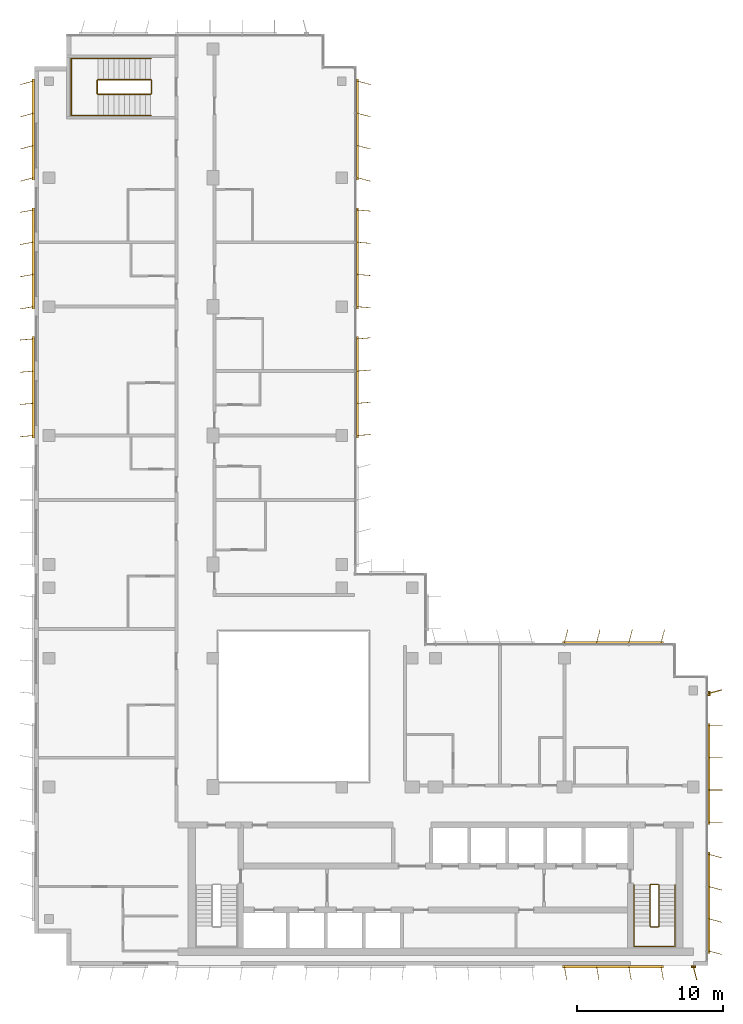
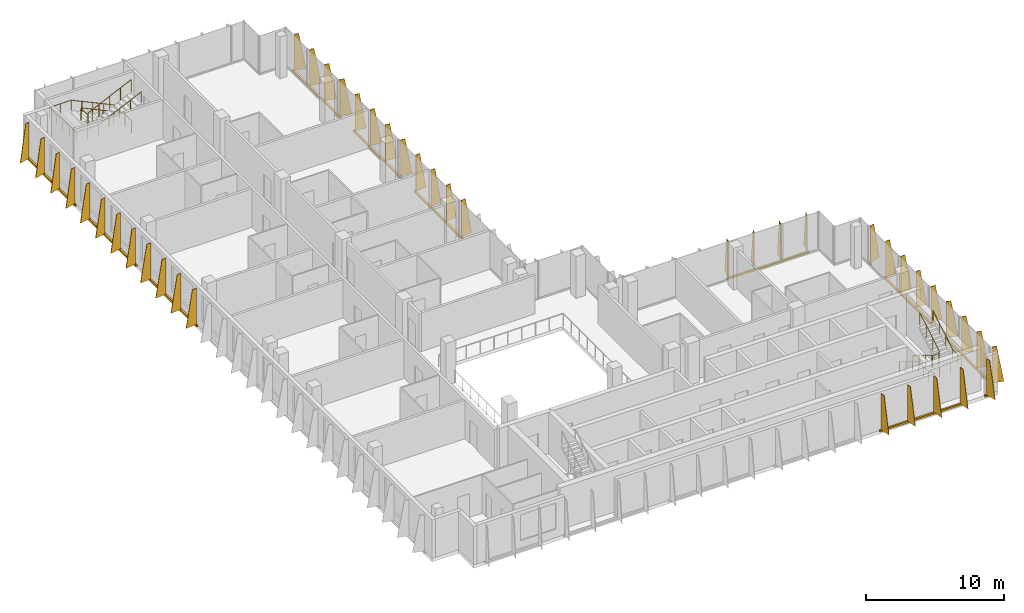
# One storey, part 14 of 15: 12 shading devices, 4 railings.
"""IFC4 building model written with IfcOpenShell, lengths in metres."""

from ifc_helpers import new_model, si_unit, direction, frame, origin, origin_2d, place, context, subcontext, project, spatial, polyline, rectangle, circle, outline, extrude, source, transform, mapped, material, layer, layer_set, type_object, element, save


model = new_model("IFC4")

# Units and contexts
model_context = context("Model", 3, precision=1e-05, world=origin(), true_north=direction((0.0, 1.0)))
body_context = subcontext(model_context, "Body", "Model", "MODEL_VIEW")
ifc_project = project(units=[si_unit("LENGTHUNIT", "METRE"), si_unit("AREAUNIT", "SQUARE_METRE"), si_unit("VOLUMEUNIT", "CUBIC_METRE"), si_unit("PLANEANGLEUNIT", "RADIAN"), si_unit("MASSUNIT", "GRAM", prefix="KILO")], contexts=[model_context])

# Site, building, storey
site_placement = place(None, origin())
site = spatial("IfcSite", under=ifc_project, at=site_placement, CompositionType="ELEMENT")
building_placement = place(site_placement, origin())
building = spatial("IfcBuilding", under=site, at=building_placement, Name="Kemantara Hotel Tower", CompositionType="ELEMENT")
storey_placement = place(building_placement, frame((0.0, 0.0, 268.5)))
storey = spatial("IfcBuildingStorey", under=building, at=storey_placement, Name="L67", CompositionType="ELEMENT", Elevation=268.5)

# Railings
ifc_material_1 = material(Name="Stainless steel balustrade", Category="steel")
railing_type_1 = type_object("IfcRailingType", Name="Stair guard 1100 mm", PredefinedType="GUARDRAIL", material=ifc_material_1)
railing_1_placement = place(storey_placement, frame((42.64990234375, 5.5, 3.699951171875)))
element("IfcRailing", 1, at=railing_1_placement, inside=storey, type_object=railing_type_1, Name="L67 ST2 stair guard 1", PredefinedType="GUARDRAIL", context=body_context, shape_type="SweptSolid", body=[
    extrude(circle(Radius=0.02392578125, at=origin_2d()), frame((0.0, 0.0, 1.076171875), z_axis=(0.0, -0.857242210791, -0.514913383045), x_axis=(1.0, 0.0, 0.0)), (0.0, 0.0, 1.0), 3.266357421875),
    extrude(circle(Radius=0.02392578125, at=origin_2d()), frame((0.0, -2.800048828125, -0.60595703125), z_axis=(-0.273343290215, -0.274683208305, -0.921863645432), x_axis=(0.708833529934, -0.705375805398, 0.0)), (0.0, 0.0, 1.0), 0.18212890625),
    extrude(circle(Radius=0.02392578125, at=origin_2d()), frame((-0.0498046875, -2.85009765625, -0.77392578125), z_axis=(-1.0, 0.0, 0.0), x_axis=(0.0, -1.0, 0.0)), (0.0, 0.0, 1.0), 0.5),
    extrude(circle(Radius=0.02392578125, at=origin_2d()), frame((-0.5498046875, -2.85009765625, -0.77392578125), z_axis=(-0.707106781187, 0.707106781187, 0.0), x_axis=(-0.707106781187, -0.707106781187, 0.0)), (0.0, 0.0, 1.0), 0.07080078125),
    extrude(circle(Radius=0.02392578125, at=origin_2d()), frame((-0.599853515625, -2.800048828125, -0.77392578125), z_axis=(0.0, 0.857242210791, -0.514913383045), x_axis=(-1.0, 0.0, 0.0)), (0.0, 0.0, 1.0), 3.266357421875),
    extrude(circle(Radius=0.02392578125, at=origin_2d()), frame((-0.599853515625, 0.0, -2.45556640625), z_axis=(0.274243871929, 0.274243871929, -0.92172696468), x_axis=(-0.707106781187, 0.707106781187, 0.0)), (0.0, 0.0, 1.0), 0.1826171875),
    extrude(circle(Radius=0.02392578125, at=origin_2d()), frame((-0.5498046875, 0.050048828125, -2.6240234375), z_axis=(1.0, 0.0, 0.0), x_axis=(0.0, 1.0, 0.0)), (0.0, 0.0, 1.0), 0.5),
    extrude(circle(Radius=0.02099609375, at=origin_2d()), origin(), (0.0, 0.0, 1.0), 1.052001953125),
    extrude(circle(Radius=0.02099609375, at=origin_2d()), frame((0.0, -0.933349609375, -0.560546875)), (0.0, 0.0, 1.0), 1.052001953125),
    extrude(circle(Radius=0.02099609375, at=origin_2d()), frame((0.0, -1.86669921875, -1.121337890625)), (0.0, 0.0, 1.0), 1.052001953125),
    extrude(circle(Radius=0.02099609375, at=origin_2d()), frame((0.0, -2.800048828125, -1.681884765625)), (0.0, 0.0, 1.0), 1.052001953125),
    extrude(circle(Radius=0.02099609375, at=origin_2d()), frame((-0.0498046875, -2.85009765625, -1.849853515625)), (0.0, 0.0, 1.0), 1.052001953125),
    extrude(circle(Radius=0.02099609375, at=origin_2d()), frame((-0.5498046875, -2.85009765625, -1.849853515625)), (0.0, 0.0, 1.0), 1.052001953125),
    extrude(circle(Radius=0.02099609375, at=origin_2d()), frame((-0.599853515625, -2.800048828125, -1.849853515625)), (0.0, 0.0, 1.0), 1.052001953125),
    extrude(circle(Radius=0.02099609375, at=origin_2d()), frame((-0.599853515625, -1.86669921875, -2.410400390625)), (0.0, 0.0, 1.0), 1.052001953125),
    extrude(circle(Radius=0.02099609375, at=origin_2d()), frame((-0.599853515625, -0.933349609375, -2.97119140625)), (0.0, 0.0, 1.0), 1.052001953125),
    extrude(circle(Radius=0.02099609375, at=origin_2d()), frame((-0.599853515625, 0.0, -3.53173828125)), (0.0, 0.0, 1.0), 1.052001953125),
    extrude(circle(Radius=0.02099609375, at=origin_2d()), frame((-0.5498046875, 0.050048828125, -3.699951171875)), (0.0, 0.0, 1.0), 1.052001953125),
    extrude(circle(Radius=0.02099609375, at=origin_2d()), frame((-0.0498046875, 0.050048828125, -3.699951171875)), (0.0, 0.0, 1.0), 1.052001953125),
])
railing_2_placement = place(storey_placement, frame((7.949951171875, 59.5, 3.699951171875)))
element("IfcRailing", 2, at=railing_2_placement, inside=storey, type_object=railing_type_1, Name="L67 ST4 stair guard 1", PredefinedType="GUARDRAIL", context=body_context, shape_type="SweptSolid", body=[
    extrude(circle(Radius=0.02392578125, at=origin_2d()), frame((0.0, 0.0, 1.076171875), z_axis=(-0.905994681025, 0.0, -0.423289071386), x_axis=(0.0, -1.0, 0.0)), (0.0, 0.0, 1.0), 3.973388671875),
    extrude(circle(Radius=0.02392578125, at=origin_2d()), frame((-3.599853515625, 0.0, -0.60595703125), z_axis=(-0.274582412415, 0.274582412415, -0.921525364591), x_axis=(-0.707106781187, -0.707106781187, 0.0)), (0.0, 0.0, 1.0), 0.182373046875),
    extrude(circle(Radius=0.02392578125, at=origin_2d()), frame((-3.64990234375, 0.050048828125, -0.77392578125), z_axis=(0.0, 1.0, 0.0), x_axis=(-1.0, 0.0, 0.0)), (0.0, 0.0, 1.0), 0.89990234375),
    extrude(circle(Radius=0.02392578125, at=origin_2d()), frame((-3.64990234375, 0.949951171875, -0.77392578125), z_axis=(0.707106781187, 0.707106781187, 0.0), x_axis=(-0.707106781187, 0.707106781187, 0.0)), (0.0, 0.0, 1.0), 0.07080078125),
    extrude(circle(Radius=0.02392578125, at=origin_2d()), frame((-3.599853515625, 1.0, -0.77392578125), z_axis=(0.905994681025, 0.0, -0.423289071386), x_axis=(0.0, 1.0, 0.0)), (0.0, 0.0, 1.0), 3.973388671875),
    extrude(circle(Radius=0.02392578125, at=origin_2d()), frame((0.0, 1.0, -2.45556640625), z_axis=(0.274243871929, -0.274243871929, -0.92172696468), x_axis=(0.707106781187, 0.707106781187, 0.0)), (0.0, 0.0, 1.0), 0.1826171875),
    extrude(circle(Radius=0.02392578125, at=origin_2d()), frame((0.050048828125, 0.949951171875, -2.6240234375), z_axis=(0.0, -1.0, 0.0), x_axis=(1.0, 0.0, 0.0)), (0.0, 0.0, 1.0), 0.89990234375),
    extrude(circle(Radius=0.02099609375, at=origin_2d()), origin(), (0.0, 0.0, 1.0), 1.052001953125),
    extrude(circle(Radius=0.02099609375, at=origin_2d()), frame((-0.89990234375, 0.0, -0.42041015625)), (0.0, 0.0, 1.0), 1.052001953125),
    extrude(circle(Radius=0.02099609375, at=origin_2d()), frame((-1.7998046875, 0.0, -0.8408203125)), (0.0, 0.0, 1.0), 1.052001953125),
    extrude(circle(Radius=0.02099609375, at=origin_2d()), frame((-2.699951171875, 0.0, -1.261474609375)), (0.0, 0.0, 1.0), 1.052001953125),
    extrude(circle(Radius=0.02099609375, at=origin_2d()), frame((-3.599853515625, 0.0, -1.681884765625)), (0.0, 0.0, 1.0), 1.052001953125),
    extrude(circle(Radius=0.02099609375, at=origin_2d()), frame((-3.64990234375, 0.050048828125, -1.849853515625)), (0.0, 0.0, 1.0), 1.052001953125),
    extrude(circle(Radius=0.02099609375, at=origin_2d()), frame((-3.64990234375, 0.949951171875, -1.849853515625)), (0.0, 0.0, 1.0), 1.052001953125),
    extrude(circle(Radius=0.02099609375, at=origin_2d()), frame((-3.599853515625, 1.0, -1.849853515625)), (0.0, 0.0, 1.0), 1.052001953125),
    extrude(circle(Radius=0.02099609375, at=origin_2d()), frame((-2.699951171875, 1.0, -2.270263671875)), (0.0, 0.0, 1.0), 1.052001953125),
    extrude(circle(Radius=0.02099609375, at=origin_2d()), frame((-1.7998046875, 1.0, -2.69091796875)), (0.0, 0.0, 1.0), 1.052001953125),
    extrude(circle(Radius=0.02099609375, at=origin_2d()), frame((-0.89990234375, 1.0, -3.111328125)), (0.0, 0.0, 1.0), 1.052001953125),
    extrude(circle(Radius=0.02099609375, at=origin_2d()), frame((0.0, 1.0, -3.53173828125)), (0.0, 0.0, 1.0), 1.052001953125),
    extrude(circle(Radius=0.02099609375, at=origin_2d()), frame((0.050048828125, 0.949951171875, -3.699951171875)), (0.0, 0.0, 1.0), 1.052001953125),
    extrude(circle(Radius=0.02099609375, at=origin_2d()), frame((0.050048828125, 0.050048828125, -3.699951171875)), (0.0, 0.0, 1.0), 1.052001953125),
])
railing_type_2 = type_object("IfcRailingType", Name="Stair handrail 900 mm", PredefinedType="HANDRAIL", material=ifc_material_1)
railing_3_placement = place(storey_placement, frame((40.949951171875, 5.5, 0.168212890625)))
element("IfcRailing", 3, at=railing_3_placement, inside=storey, type_object=railing_type_2, Name="L67 ST2 stair handrail 1", PredefinedType="HANDRAIL", context=body_context, shape_type="SweptSolid", body=[
    extrude(circle(Radius=0.02392578125, at=origin_2d()), frame((0.0, 0.0, 0.8759765625), z_axis=(0.0, -0.857242210791, 0.514913383045), x_axis=(1.0, 0.0, 0.0)), (0.0, 0.0, 1.0), 3.266357421875),
    extrude(circle(Radius=0.02392578125, at=origin_2d()), frame((0.0, -2.800048828125, 2.5576171875), z_axis=(0.0, -1.0, 0.0), x_axis=(1.0, 0.0, 0.0)), (0.0, 0.0, 1.0), 1.3798828125),
    extrude(circle(Radius=0.02392578125, at=origin_2d()), frame((0.0, -4.179931640625, 2.5576171875), z_axis=(0.998205573864, 0.0, 0.059880149518), x_axis=(0.0, 1.0, 0.0)), (0.0, 0.0, 1.0), 2.80517578125),
    extrude(circle(Radius=0.02392578125, at=origin_2d()), frame((2.800048828125, -4.179931640625, 2.7255859375), z_axis=(0.0, 1.0, 0.0), x_axis=(-1.0, 0.0, 0.0)), (0.0, 0.0, 1.0), 1.3798828125),
    extrude(circle(Radius=0.02392578125, at=origin_2d()), frame((2.800048828125, -2.800048828125, 2.7255859375), z_axis=(0.0, 0.857242210791, 0.514913383045), x_axis=(-1.0, 0.0, 0.0)), (0.0, 0.0, 1.0), 3.266357421875),
    extrude(circle(Radius=0.02099609375, at=origin_2d()), origin(), (0.0, 0.0, 1.0), 0.851806640625),
    extrude(circle(Radius=0.02099609375, at=origin_2d()), frame((0.0, -0.933349609375, 0.560546875)), (0.0, 0.0, 1.0), 0.851806640625),
    extrude(circle(Radius=0.02099609375, at=origin_2d()), frame((0.0, -1.86669921875, 1.121337890625)), (0.0, 0.0, 1.0), 0.851806640625),
    extrude(circle(Radius=0.02099609375, at=origin_2d()), frame((0.0, -2.800048828125, 1.681884765625)), (0.0, 0.0, 1.0), 0.851806640625),
    extrude(circle(Radius=0.02099609375, at=origin_2d()), frame((0.0, -3.489990234375, 1.681884765625)), (0.0, 0.0, 1.0), 0.851806640625),
    extrude(circle(Radius=0.02099609375, at=origin_2d()), frame((0.0, -4.179931640625, 1.681884765625)), (0.0, 0.0, 1.0), 0.851806640625),
    extrude(circle(Radius=0.02099609375, at=origin_2d()), frame((0.933349609375, -4.179931640625, 1.73779296875)), (0.0, 0.0, 1.0), 0.851806640625),
    extrude(circle(Radius=0.02099609375, at=origin_2d()), frame((1.86669921875, -4.179931640625, 1.7939453125)), (0.0, 0.0, 1.0), 0.851806640625),
    extrude(circle(Radius=0.02099609375, at=origin_2d()), frame((2.800048828125, -4.179931640625, 1.849853515625)), (0.0, 0.0, 1.0), 0.851806640625),
    extrude(circle(Radius=0.02099609375, at=origin_2d()), frame((2.800048828125, -3.489990234375, 1.849853515625)), (0.0, 0.0, 1.0), 0.851806640625),
    extrude(circle(Radius=0.02099609375, at=origin_2d()), frame((2.800048828125, -2.800048828125, 1.849853515625)), (0.0, 0.0, 1.0), 0.851806640625),
    extrude(circle(Radius=0.02099609375, at=origin_2d()), frame((2.800048828125, -1.86669921875, 2.410400390625)), (0.0, 0.0, 1.0), 0.851806640625),
    extrude(circle(Radius=0.02099609375, at=origin_2d()), frame((2.800048828125, -0.933349609375, 2.97119140625)), (0.0, 0.0, 1.0), 0.851806640625),
    extrude(circle(Radius=0.02099609375, at=origin_2d()), frame((2.800048828125, 0.0, 3.53173828125)), (0.0, 0.0, 1.0), 0.851806640625),
])
railing_4_placement = place(storey_placement, frame((7.949951171875, 61.949951171875, 0.168212890625)))
element("IfcRailing", 4, at=railing_4_placement, inside=storey, type_object=railing_type_2, Name="L67 ST4 stair handrail 1", PredefinedType="HANDRAIL", context=body_context, shape_type="SweptSolid", body=[
    extrude(circle(Radius=0.02392578125, at=origin_2d()), frame((0.0, 0.0, 0.8759765625), z_axis=(-0.905994681025, 0.0, 0.423289071386), x_axis=(0.0, -1.0, 0.0)), (0.0, 0.0, 1.0), 3.973388671875),
    extrude(circle(Radius=0.02392578125, at=origin_2d()), frame((-3.599853515625, 0.0, 2.5576171875), z_axis=(-1.0, 0.0, 0.0), x_axis=(0.0, -1.0, 0.0)), (0.0, 0.0, 1.0), 1.830078125),
    extrude(circle(Radius=0.02392578125, at=origin_2d()), frame((-5.429931640625, 0.0, 2.5576171875), z_axis=(0.0, -0.999073776461, 0.043030096294), x_axis=(1.0, 0.0, 0.0)), (0.0, 0.0, 1.0), 3.903564453125),
    extrude(circle(Radius=0.02392578125, at=origin_2d()), frame((-5.429931640625, -3.89990234375, 2.7255859375), z_axis=(1.0, 0.0, 0.0), x_axis=(0.0, 1.0, 0.0)), (0.0, 0.0, 1.0), 1.830078125),
    extrude(circle(Radius=0.02392578125, at=origin_2d()), frame((-3.599853515625, -3.89990234375, 2.7255859375), z_axis=(0.905994681025, 0.0, 0.423289071386), x_axis=(0.0, 1.0, 0.0)), (0.0, 0.0, 1.0), 3.973388671875),
    extrude(circle(Radius=0.02099609375, at=origin_2d()), origin(), (0.0, 0.0, 1.0), 0.851806640625),
    extrude(circle(Radius=0.02099609375, at=origin_2d()), frame((-0.89990234375, 0.0, 0.42041015625)), (0.0, 0.0, 1.0), 0.851806640625),
    extrude(circle(Radius=0.02099609375, at=origin_2d()), frame((-1.7998046875, 0.0, 0.8408203125)), (0.0, 0.0, 1.0), 0.851806640625),
    extrude(circle(Radius=0.02099609375, at=origin_2d()), frame((-2.699951171875, 0.0, 1.261474609375)), (0.0, 0.0, 1.0), 0.851806640625),
    extrude(circle(Radius=0.02099609375, at=origin_2d()), frame((-3.599853515625, 0.0, 1.681884765625)), (0.0, 0.0, 1.0), 0.851806640625),
    extrude(circle(Radius=0.02099609375, at=origin_2d()), frame((-4.514892578125, 0.0, 1.681884765625)), (0.0, 0.0, 1.0), 0.851806640625),
    extrude(circle(Radius=0.02099609375, at=origin_2d()), frame((-5.429931640625, 0.0, 1.681884765625)), (0.0, 0.0, 1.0), 0.851806640625),
    extrude(circle(Radius=0.02099609375, at=origin_2d()), frame((-5.429931640625, -0.97509765625, 1.723876953125)), (0.0, 0.0, 1.0), 0.851806640625),
    extrude(circle(Radius=0.02099609375, at=origin_2d()), frame((-5.429931640625, -1.949951171875, 1.765869140625)), (0.0, 0.0, 1.0), 0.851806640625),
    extrude(circle(Radius=0.02099609375, at=origin_2d()), frame((-5.429931640625, -2.9248046875, 1.807861328125)), (0.0, 0.0, 1.0), 0.851806640625),
    extrude(circle(Radius=0.02099609375, at=origin_2d()), frame((-5.429931640625, -3.89990234375, 1.849853515625)), (0.0, 0.0, 1.0), 0.851806640625),
    extrude(circle(Radius=0.02099609375, at=origin_2d()), frame((-4.514892578125, -3.89990234375, 1.849853515625)), (0.0, 0.0, 1.0), 0.851806640625),
    extrude(circle(Radius=0.02099609375, at=origin_2d()), frame((-3.599853515625, -3.89990234375, 1.849853515625)), (0.0, 0.0, 1.0), 0.851806640625),
    extrude(circle(Radius=0.02099609375, at=origin_2d()), frame((-2.699951171875, -3.89990234375, 2.270263671875)), (0.0, 0.0, 1.0), 0.851806640625),
    extrude(circle(Radius=0.02099609375, at=origin_2d()), frame((-1.7998046875, -3.89990234375, 2.69091796875)), (0.0, 0.0, 1.0), 0.851806640625),
    extrude(circle(Radius=0.02099609375, at=origin_2d()), frame((-0.89990234375, -3.89990234375, 3.111328125)), (0.0, 0.0, 1.0), 0.851806640625),
    extrude(circle(Radius=0.02099609375, at=origin_2d()), frame((0.0, -3.89990234375, 3.53173828125)), (0.0, 0.0, 1.0), 0.851806640625),
])

# Shading devices
ifc_material_2 = material(Name="Perforated aluminium plate 4 mm bronze anodised", Category="aluminium")
ifc_layer_1 = layer(ifc_material_2, 0.0400390625)
ifc_layer_set_1 = layer_set([ifc_layer_1], Name="Perforated aluminium plate 4 mm bronze anodised")
shading_device_type_1 = type_object("IfcShadingDeviceType", Name="SCREEN FIN CASSETTE, 4 BLADES AT -5.0 DEG, 3200 HIGH", PredefinedType="USERDEFINED", material=ifc_layer_set_1)
shared_shape_1 = source(origin(), body_context, "Body", "SweptSolid", [
    extrude(rectangle(XDim=6.89990234375, YDim=0.14990234375, at=origin_2d()), frame((3.300048828125, -0.074951171875, -0.14990234375), z_axis=(0.0, 0.0, 1.0), x_axis=(1.0, 0.0, 0.0)), (0.0, 0.0, 1.0), 0.14990234375),
    extrude(outline(polyline([(0.0, 0.0), (0.89990234375, 0.0), (0.35009765625, 3.199951171875), (0.0, 3.199951171875), (0.0, 0.0)])), frame((0.02001953125, -0.07666015625, 0.0), z_axis=(-0.996376129781, 0.085056498884, 0.0), x_axis=(-0.085056498884, -0.996376129781, 0.0)), (0.0, 0.0, 1.0), 0.040283203125),
    extrude(outline(polyline([(0.0, 0.0), (0.89990234375, 0.0), (0.35009765625, 3.199951171875), (0.0, 3.199951171875), (0.0, 0.0)])), frame((2.219970703125, -0.07666015625, 0.0), z_axis=(-0.996331773833, 0.085574508182, 0.0), x_axis=(-0.085574508182, -0.996331773833, 0.0)), (0.0, 0.0, 1.0), 0.0400390625),
    extrude(outline(polyline([(0.0, 0.0), (0.89990234375, 0.0), (0.35009765625, 3.199951171875), (0.0, 3.199951171875), (0.0, 0.0)])), frame((4.419921875, -0.07666015625, 0.0), z_axis=(-0.996331773833, 0.085574508182, 0.0), x_axis=(-0.085574508182, -0.996331773833, 0.0)), (0.0, 0.0, 1.0), 0.0400390625),
    extrude(outline(polyline([(0.0, 0.0), (0.89990234375, 0.0), (0.35009765625, 3.199951171875), (0.0, 3.199951171875), (0.0, 0.0)])), frame((6.619873046875, -0.07666015625, 0.0), z_axis=(-0.996331773833, 0.085574508182, 0.0), x_axis=(-0.085574508182, -0.996331773833, 0.0)), (0.0, 0.0, 1.0), 0.0400390625),
])
shading_device_1_placement = place(storey_placement, frame((22.0, 45.0, 0.10009765625), z_axis=(0.0, 0.0, 1.0), x_axis=(0.0, 1.0, 0.0)))
element("IfcShadingDevice", 5, at=shading_device_1_placement, inside=storey, type_object=shading_device_type_1, Name="SCREEN FIN CASSETTE L67 T4-R15-3", ObjectType="SCREEN FIN", PredefinedType="USERDEFINED", context=body_context, shape_type="MappedRepresentation", body=[
    mapped(shared_shape_1, transform((0.0, 0.0, 0.0))),
])
ifc_layer_2 = layer(ifc_material_2, 0.0400390625)
ifc_layer_set_2 = layer_set([ifc_layer_2], Name="Perforated aluminium plate 4 mm bronze anodised")
shading_device_type_2 = type_object("IfcShadingDeviceType", Name="SCREEN FIN CASSETTE, 4 BLADES AT +0.0 DEG, 3200 HIGH", PredefinedType="USERDEFINED", material=ifc_layer_set_2)
shared_shape_2 = source(origin(), body_context, "Body", "SweptSolid", [
    extrude(rectangle(XDim=6.89990234375, YDim=0.14990234375, at=origin_2d()), frame((3.300048828125, -0.074951171875, -0.14990234375), z_axis=(0.0, 0.0, 1.0), x_axis=(1.0, 0.0, 0.0)), (0.0, 0.0, 1.0), 0.14990234375),
    extrude(outline(polyline([(0.0, 0.0), (0.89990234375, 0.0), (0.35009765625, 3.199951171875), (0.0, 3.199951171875), (0.0, 0.0)])), frame((0.02001953125, -0.074951171875, 0.0), z_axis=(-1.0, 0.0, 0.0), x_axis=(0.0, -1.0, 0.0)), (0.0, 0.0, 1.0), 0.0400390625),
    extrude(outline(polyline([(0.0, 0.0), (0.89990234375, 0.0), (0.35009765625, 3.199951171875), (0.0, 3.199951171875), (0.0, 0.0)])), frame((2.219970703125, -0.074951171875, 0.0), z_axis=(-1.0, 0.0, 0.0), x_axis=(0.0, -1.0, 0.0)), (0.0, 0.0, 1.0), 0.0400390625),
    extrude(outline(polyline([(0.0, 0.0), (0.89990234375, 0.0), (0.35009765625, 3.199951171875), (0.0, 3.199951171875), (0.0, 0.0)])), frame((4.419921875, -0.074951171875, 0.0), z_axis=(-1.0, 0.0, 0.0), x_axis=(0.0, -1.0, 0.0)), (0.0, 0.0, 1.0), 0.0400390625),
    extrude(outline(polyline([(0.0, 0.0), (0.89990234375, 0.0), (0.35009765625, 3.199951171875), (0.0, 3.199951171875), (0.0, 0.0)])), frame((6.6201171875, -0.074951171875, 0.0), z_axis=(-1.0, 0.0, 0.0), x_axis=(0.0, -1.0, 0.0)), (0.0, 0.0, 1.0), 0.0400390625),
])
shading_device_2_placement = place(storey_placement, frame((46.0, 9.800048828125, 0.10009765625), z_axis=(0.0, 0.0, 1.0), x_axis=(0.0, 1.0, 0.0)))
element("IfcShadingDevice", 6, at=shading_device_2_placement, inside=storey, type_object=shading_device_type_2, Name="SCREEN FIN CASSETTE L67 T4-R09-2", ObjectType="SCREEN FIN", PredefinedType="USERDEFINED", context=body_context, shape_type="MappedRepresentation", body=[
    mapped(shared_shape_2, transform((0.0, 0.0, 0.0))),
])
ifc_layer_3 = layer(ifc_material_2, 0.0400390625)
ifc_layer_set_3 = layer_set([ifc_layer_3], Name="Perforated aluminium plate 4 mm bronze anodised")
shading_device_type_3 = type_object("IfcShadingDeviceType", Name="SCREEN FIN CASSETTE, 4 BLADES AT +5.0 DEG, 3200 HIGH", PredefinedType="USERDEFINED", material=ifc_layer_set_3)
shared_shape_3 = source(origin(), body_context, "Body", "SweptSolid", [
    extrude(rectangle(XDim=6.89990234375, YDim=0.14990234375, at=origin_2d()), frame((3.300048828125, -0.074951171875, -0.14990234375), z_axis=(0.0, 0.0, 1.0), x_axis=(1.0, 0.0, 0.0)), (0.0, 0.0, 1.0), 0.14990234375),
    extrude(outline(polyline([(0.0, 0.0), (0.89990234375, 0.0), (0.35009765625, 3.199951171875), (0.0, 3.199951171875), (0.0, 0.0)])), frame((0.02001953125, -0.0732421875, 0.0), z_axis=(-0.996376129781, -0.085056498884, 0.0), x_axis=(0.085056498884, -0.996376129781, 0.0)), (0.0, 0.0, 1.0), 0.040283203125),
    extrude(outline(polyline([(0.0, 0.0), (0.89990234375, 0.0), (0.35009765625, 3.199951171875), (0.0, 3.199951171875), (0.0, 0.0)])), frame((2.219970703125, -0.0732421875, 0.0), z_axis=(-0.996331773833, -0.085574508182, 0.0), x_axis=(0.085574508182, -0.996331773833, 0.0)), (0.0, 0.0, 1.0), 0.0400390625),
    extrude(outline(polyline([(0.0, 0.0), (0.89990234375, 0.0), (0.35009765625, 3.199951171875), (0.0, 3.199951171875), (0.0, 0.0)])), frame((4.419921875, -0.0732421875, 0.0), z_axis=(-0.996331773833, -0.085574508182, 0.0), x_axis=(0.085574508182, -0.996331773833, 0.0)), (0.0, 0.0, 1.0), 0.0400390625),
    extrude(outline(polyline([(0.0, 0.0), (0.89990234375, 0.0), (0.35009765625, 3.199951171875), (0.0, 3.199951171875), (0.0, 0.0)])), frame((6.619873046875, -0.0732421875, 0.0), z_axis=(-0.996331773833, -0.085574508182, 0.0), x_axis=(0.085574508182, -0.996331773833, 0.0)), (0.0, 0.0, 1.0), 0.0400390625),
])
for number, where, z_axis, x_axis, name in (
    (7, (0.0, 42.800048828125, 0.10009765625), (0.0, 0.0, 1.0), (0.0, -1.0, 0.0), "SCREEN FIN CASSETTE L67 T4-R05-3"),
    (8, (22.0, 36.199951171875, 0.10009765625), (0.0, 0.0, 1.0), (0.0, 1.0, 0.0), "SCREEN FIN CASSETTE L67 T4-R15-2"),
):
    element("IfcShadingDevice", number, at=place(storey_placement, frame(where, z_axis=z_axis, x_axis=x_axis)), inside=storey, type_object=shading_device_type_3, Name=name, ObjectType="SCREEN FIN", PredefinedType="USERDEFINED", context=body_context, shape_type="MappedRepresentation", body=[
        mapped(shared_shape_3, transform((0.0, 0.0, 0.0))),
    ])
ifc_layer_4 = layer(ifc_material_2, 0.0400390625)
ifc_layer_set_4 = layer_set([ifc_layer_4], Name="Perforated aluminium plate 4 mm bronze anodised")
shading_device_type_4 = type_object("IfcShadingDeviceType", Name="SCREEN FIN CASSETTE, 4 BLADES AT +10.0 DEG, 3200 HIGH", PredefinedType="USERDEFINED", material=ifc_layer_set_4)
shared_shape_4 = source(origin(), body_context, "Body", "SweptSolid", [
    extrude(rectangle(XDim=6.89990234375, YDim=0.14990234375, at=origin_2d()), frame((3.300048828125, -0.074951171875, -0.14990234375), z_axis=(0.0, 0.0, 1.0), x_axis=(1.0, 0.0, 0.0)), (0.0, 0.0, 1.0), 0.14990234375),
    extrude(outline(polyline([(0.0, 0.0), (0.89990234375, 0.0), (0.35009765625, 3.199951171875), (0.0, 3.199951171875), (0.0, 0.0)])), frame((0.019775390625, -0.071533203125, 0.0), z_axis=(-0.985389793052, -0.170314285219, 0.0), x_axis=(0.170314285219, -0.985389793052, 0.0)), (0.0, 0.0, 1.0), 0.0400390625),
    extrude(outline(polyline([(0.0, 0.0), (0.89990234375, 0.0), (0.35009765625, 3.199951171875), (0.0, 3.199951171875), (0.0, 0.0)])), frame((2.2197265625, -0.071533203125, 0.0), z_axis=(-0.98521175482, -0.171341174751, 0.0), x_axis=(0.171341174751, -0.98521175482, 0.0)), (0.0, 0.0, 1.0), 0.039794921875),
    extrude(outline(polyline([(0.0, 0.0), (0.89990234375, 0.0), (0.35009765625, 3.199951171875), (0.0, 3.199951171875), (0.0, 0.0)])), frame((4.419677734375, -0.071533203125, 0.0), z_axis=(-0.98521175482, -0.171341174751, 0.0), x_axis=(0.171341174751, -0.98521175482, 0.0)), (0.0, 0.0, 1.0), 0.039794921875),
    extrude(outline(polyline([(0.0, 0.0), (0.89990234375, 0.0), (0.35009765625, 3.199951171875), (0.0, 3.199951171875), (0.0, 0.0)])), frame((6.61962890625, -0.071533203125, 0.0), z_axis=(-0.98521175482, -0.171341174751, 0.0), x_axis=(0.171341174751, -0.98521175482, 0.0)), (0.0, 0.0, 1.0), 0.039794921875),
])
for number, where, z_axis, x_axis, name in (
    (9, (0.0, 51.60009765625, 0.10009765625), (0.0, 0.0, 1.0), (0.0, -1.0, 0.0), "SCREEN FIN CASSETTE L67 T4-R05-2"),
    (10, (36.199951171875, 0.0, 0.10009765625), (0.0, 0.0, 1.0), (1.0, 0.0, 0.0), "SCREEN FIN CASSETTE L67 T4-R08-5"),
):
    element("IfcShadingDevice", number, at=place(storey_placement, frame(where, z_axis=z_axis, x_axis=x_axis)), inside=storey, type_object=shading_device_type_4, Name=name, ObjectType="SCREEN FIN", PredefinedType="USERDEFINED", context=body_context, shape_type="MappedRepresentation", body=[
        mapped(shared_shape_4, transform((0.0, 0.0, 0.0))),
    ])
ifc_layer_5 = layer(ifc_material_2, 0.0400390625)
ifc_layer_set_5 = layer_set([ifc_layer_5], Name="Perforated aluminium plate 4 mm bronze anodised")
shading_device_type_5 = type_object("IfcShadingDeviceType", Name="SCREEN FIN CASSETTE, 4 BLADES AT +15.0 DEG, 3200 HIGH", PredefinedType="USERDEFINED", material=ifc_layer_set_5)
shared_shape_5 = source(origin(), body_context, "Body", "SweptSolid", [
    extrude(rectangle(XDim=6.89990234375, YDim=0.14990234375, at=origin_2d()), frame((3.300048828125, -0.074951171875, -0.14990234375), z_axis=(0.0, 0.0, 1.0), x_axis=(1.0, 0.0, 0.0)), (0.0, 0.0, 1.0), 0.14990234375),
    extrude(outline(polyline([(0.0, 0.0), (0.89990234375, 0.0), (0.35009765625, 3.199951171875), (0.0, 3.199951171875), (0.0, 0.0)])), frame((0.019287109375, -0.06982421875, 0.0), z_axis=(-0.966437683387, -0.256901156343, 0.0), x_axis=(0.256901156343, -0.966437683387, 0.0)), (0.0, 0.0, 1.0), 0.039794921875),
    extrude(outline(polyline([(0.0, 0.0), (0.89990234375, 0.0), (0.35009765625, 3.199951171875), (0.0, 3.199951171875), (0.0, 0.0)])), frame((2.21923828125, -0.06982421875, 0.0), z_axis=(-0.966437683387, -0.256901156343, 0.0), x_axis=(0.256901156343, -0.966437683387, 0.0)), (0.0, 0.0, 1.0), 0.039794921875),
    extrude(outline(polyline([(0.0, 0.0), (0.89990234375, 0.0), (0.35009765625, 3.199951171875), (0.0, 3.199951171875), (0.0, 0.0)])), frame((4.41943359375, -0.06982421875, 0.0), z_axis=(-0.966837822169, -0.255391122837, 0.0), x_axis=(0.255391122837, -0.966837822169, 0.0)), (0.0, 0.0, 1.0), 0.0400390625),
    extrude(outline(polyline([(0.0, 0.0), (0.89990234375, 0.0), (0.35009765625, 3.199951171875), (0.0, 3.199951171875), (0.0, 0.0)])), frame((6.619384765625, -0.06982421875, 0.0), z_axis=(-0.966837822169, -0.255391122837, 0.0), x_axis=(0.255391122837, -0.966837822169, 0.0)), (0.0, 0.0, 1.0), 0.0400390625),
])
shading_device_3_placement = place(storey_placement, frame((0.0, 60.39990234375, 0.10009765625), z_axis=(0.0, 0.0, 1.0), x_axis=(0.0, -1.0, 0.0)))
element("IfcShadingDevice", 11, at=shading_device_3_placement, inside=storey, type_object=shading_device_type_5, Name="SCREEN FIN CASSETTE L67 T4-R05-1", ObjectType="SCREEN FIN", PredefinedType="USERDEFINED", context=body_context, shape_type="MappedRepresentation", body=[
    mapped(shared_shape_5, transform((0.0, 0.0, 0.0))),
])
ifc_layer_6 = layer(ifc_material_2, 0.0400390625)
ifc_layer_set_6 = layer_set([ifc_layer_6], Name="Perforated aluminium plate 4 mm bronze anodised")
shading_device_type_6 = type_object("IfcShadingDeviceType", Name="SCREEN FIN CASSETTE, 4 BLADES AT -15.0 DEG, 3200 HIGH", PredefinedType="USERDEFINED", material=ifc_layer_set_6)
shared_shape_6 = source(origin(), body_context, "Body", "SweptSolid", [
    extrude(rectangle(XDim=6.89990234375, YDim=0.14990234375, at=origin_2d()), frame((3.300048828125, -0.074951171875, -0.14990234375), z_axis=(0.0, 0.0, 1.0), x_axis=(1.0, 0.0, 0.0)), (0.0, 0.0, 1.0), 0.14990234375),
    extrude(outline(polyline([(0.0, 0.0), (0.89990234375, 0.0), (0.35009765625, 3.199951171875), (0.0, 3.199951171875), (0.0, 0.0)])), frame((0.019287109375, -0.080078125, 0.0), z_axis=(-0.966437683387, 0.256901156343, 0.0), x_axis=(-0.256901156343, -0.966437683387, 0.0)), (0.0, 0.0, 1.0), 0.039794921875),
    extrude(outline(polyline([(0.0, 0.0), (0.89990234375, 0.0), (0.35009765625, 3.199951171875), (0.0, 3.199951171875), (0.0, 0.0)])), frame((2.21923828125, -0.080078125, 0.0), z_axis=(-0.966437683387, 0.256901156343, 0.0), x_axis=(-0.256901156343, -0.966437683387, 0.0)), (0.0, 0.0, 1.0), 0.039794921875),
    extrude(outline(polyline([(0.0, 0.0), (0.89990234375, 0.0), (0.35009765625, 3.199951171875), (0.0, 3.199951171875), (0.0, 0.0)])), frame((4.41943359375, -0.080078125, 0.0), z_axis=(-0.966837822169, 0.255391122837, 0.0), x_axis=(-0.255391122837, -0.966837822169, 0.0)), (0.0, 0.0, 1.0), 0.0400390625),
    extrude(outline(polyline([(0.0, 0.0), (0.89990234375, 0.0), (0.35009765625, 3.199951171875), (0.0, 3.199951171875), (0.0, 0.0)])), frame((6.619384765625, -0.080078125, 0.0), z_axis=(-0.966837822169, 0.255391122837, 0.0), x_axis=(-0.255391122837, -0.966837822169, 0.0)), (0.0, 0.0, 1.0), 0.0400390625),
])
for number, where, z_axis, x_axis, name in (
    (12, (46.0, 1.0, 0.10009765625), (0.0, 0.0, 1.0), (0.0, 1.0, 0.0), "SCREEN FIN CASSETTE L67 T4-R09-1"),
    (13, (42.800048828125, 22.0, 0.10009765625), (0.0, 0.0, 1.0), (-1.0, 0.0, 0.0), "SCREEN FIN CASSETTE L67 T4-R12-1"),
    (14, (22.0, 53.800048828125, 0.10009765625), (0.0, 0.0, 1.0), (0.0, 1.0, 0.0), "SCREEN FIN CASSETTE L67 T4-R15-4"),
):
    element("IfcShadingDevice", number, at=place(storey_placement, frame(where, z_axis=z_axis, x_axis=x_axis)), inside=storey, type_object=shading_device_type_6, Name=name, ObjectType="SCREEN FIN", PredefinedType="USERDEFINED", context=body_context, shape_type="MappedRepresentation", body=[
        mapped(shared_shape_6, transform((0.0, 0.0, 0.0))),
    ])
ifc_layer_7 = layer(ifc_material_2, 0.0400390625)
ifc_layer_set_7 = layer_set([ifc_layer_7], Name="Perforated aluminium plate 4 mm bronze anodised")
shading_device_type_7 = type_object("IfcShadingDeviceType", Name="SCREEN FIN CASSETTE, 1 BLADE AT +15.0 DEG, 3200 HIGH", PredefinedType="USERDEFINED", material=ifc_layer_set_7)
shared_shape_7 = source(origin(), body_context, "Body", "SweptSolid", [
    extrude(rectangle(XDim=0.300048828125, YDim=0.14990234375, at=origin_2d()), frame((0.0, -0.074951171875, -0.14990234375), z_axis=(0.0, 0.0, 1.0), x_axis=(1.0, 0.0, 0.0)), (0.0, 0.0, 1.0), 0.14990234375),
    extrude(outline(polyline([(0.0, 0.0), (0.89990234375, 0.0), (0.35009765625, 3.199951171875), (0.0, 3.199951171875), (0.0, 0.0)])), frame((0.019287109375, -0.06982421875, 0.0), z_axis=(-0.966437683387, -0.256901156343, 0.0), x_axis=(0.256901156343, -0.966437683387, 0.0)), (0.0, 0.0, 1.0), 0.039794921875),
])
for number, where, z_axis, x_axis, name in (
    (15, (45.0, 0.0, 0.10009765625), (0.0, 0.0, 1.0), (1.0, 0.0, 0.0), "SCREEN FIN CASSETTE L67 T4-R08-6"),
    (16, (46.0, 18.60009765625, 0.10009765625), (0.0, 0.0, 1.0), (0.0, 1.0, 0.0), "SCREEN FIN CASSETTE L67 T4-R09-3"),
):
    element("IfcShadingDevice", number, at=place(storey_placement, frame(where, z_axis=z_axis, x_axis=x_axis)), inside=storey, type_object=shading_device_type_7, Name=name, ObjectType="SCREEN FIN", PredefinedType="USERDEFINED", context=body_context, shape_type="MappedRepresentation", body=[
        mapped(shared_shape_7, transform((0.0, 0.0, 0.0))),
    ])

save(model, "model.ifc")
